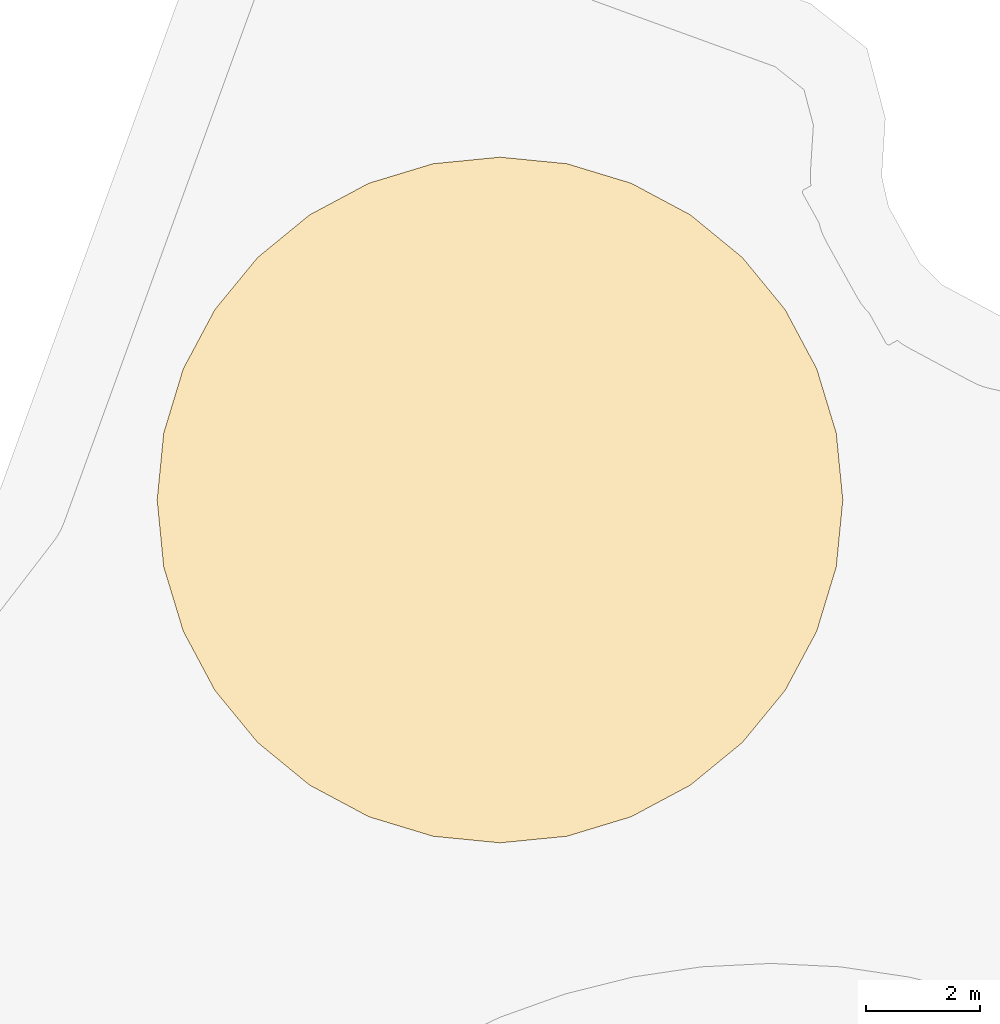
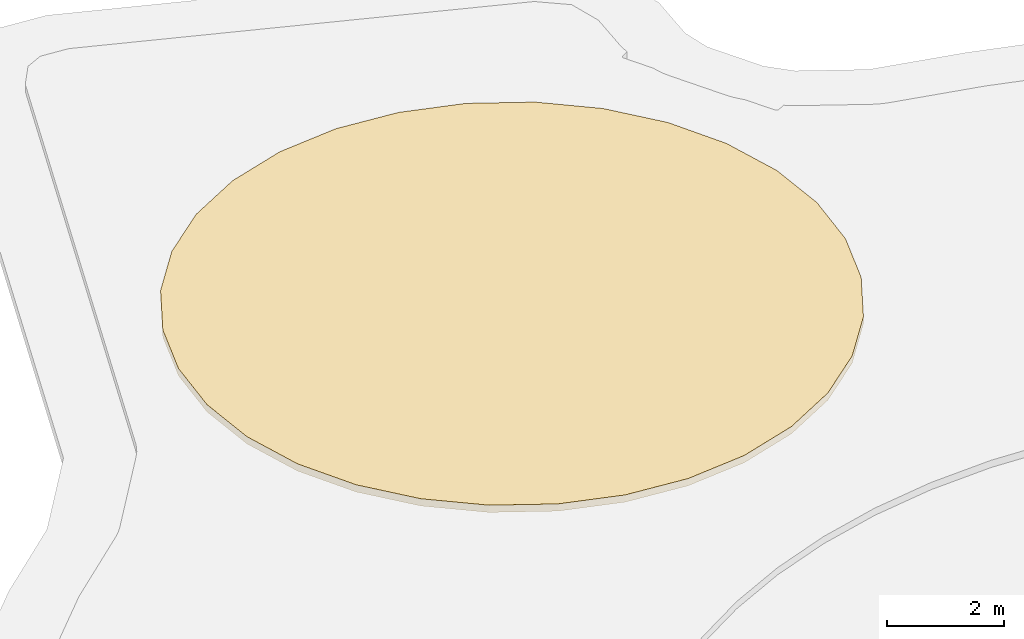
# One storey, part 2 of 2: 1 covering.
"""IFC4 building model written with IfcOpenShell, lengths in metres."""

from ifc_helpers import new_model, si_unit, direction, frame, origin, place, context, subcontext, project, spatial, polyline, outline, extrude, material, layer, layer_set, type_object, element, save


model = new_model("IFC4")

# Units and contexts
model_context = context("Model", 3, precision=1e-05, world=origin(), true_north=direction((0.0, 1.0)))
body_context = subcontext(model_context, "Body", "Model", "MODEL_VIEW")
ifc_project = project(units=[si_unit("LENGTHUNIT", "METRE"), si_unit("AREAUNIT", "SQUARE_METRE"), si_unit("VOLUMEUNIT", "CUBIC_METRE"), si_unit("PLANEANGLEUNIT", "RADIAN"), si_unit("MASSUNIT", "GRAM", prefix="KILO")], contexts=[model_context])

# Site, building, storey
site_placement = place(None, origin())
site = spatial("IfcSite", under=ifc_project, at=site_placement, CompositionType="ELEMENT")
building_placement = place(site_placement, origin())
building = spatial("IfcBuilding", under=site, at=building_placement, Name="Tamarind Cross Interchange Tower", CompositionType="ELEMENT")
storey_placement = place(building_placement, frame((0.0, 0.0, 329.39990234375)))
storey = spatial("IfcBuildingStorey", under=building, at=storey_placement, Name="ROOF", CompositionType="ELEMENT", Elevation=329.39990234375)

# Covering
ifc_material = material(Name="Non-slip painted aluminium plank decking", Category="aluminium")
ifc_layer = layer(ifc_material, 0.14990234375)
ifc_layer_set = layer_set([ifc_layer], Name="Non-slip painted aluminium plank decking")
covering_type = type_object("IfcCoveringType", Name="Helicopter rescue deck", PredefinedType="FLOORING", material=ifc_layer_set)
covering_placement = place(storey_placement, origin())
element("IfcCovering", 1, at=covering_placement, inside=storey, type_object=covering_type, Name="HRD-L80-C", PredefinedType="FLOORING", context=body_context, shape_type="SweptSolid", body=[
    extrude(outline(polyline([(1.260009765625, 20.510009765625), (1.144775390625, 21.680419921875), (0.80322265625, 22.80615234375), (0.248779296875, 23.843505859375), (-0.497314453125, 24.752685546875), (-1.406494140625, 25.498779296875), (-2.44384765625, 26.05322265625), (-3.569580078125, 26.394775390625), (-4.739990234375, 26.510009765625), (-5.910400390625, 26.394775390625), (-7.0361328125, 26.05322265625), (-8.073486328125, 25.498779296875), (-8.982666015625, 24.752685546875), (-9.728759765625, 23.843505859375), (-10.283203125, 22.80615234375), (-10.624755859375, 21.680419921875), (-10.739990234375, 20.510009765625), (-10.624755859375, 19.339599609375), (-10.283203125, 18.2138671875), (-9.728759765625, 17.176513671875), (-8.982666015625, 16.267333984375), (-8.073486328125, 15.521240234375), (-7.0361328125, 14.966796875), (-5.910400390625, 14.625244140625), (-4.739990234375, 14.510009765625), (-3.569580078125, 14.625244140625), (-2.44384765625, 14.966796875), (-1.406494140625, 15.521240234375), (-0.497314453125, 16.267333984375), (0.248779296875, 17.176513671875), (0.80322265625, 18.2138671875), (1.144775390625, 19.339599609375), (1.260009765625, 20.510009765625)])), origin(), (0.0, 0.0, 1.0), 0.150146484375),
])

save(model, "model.ifc")
